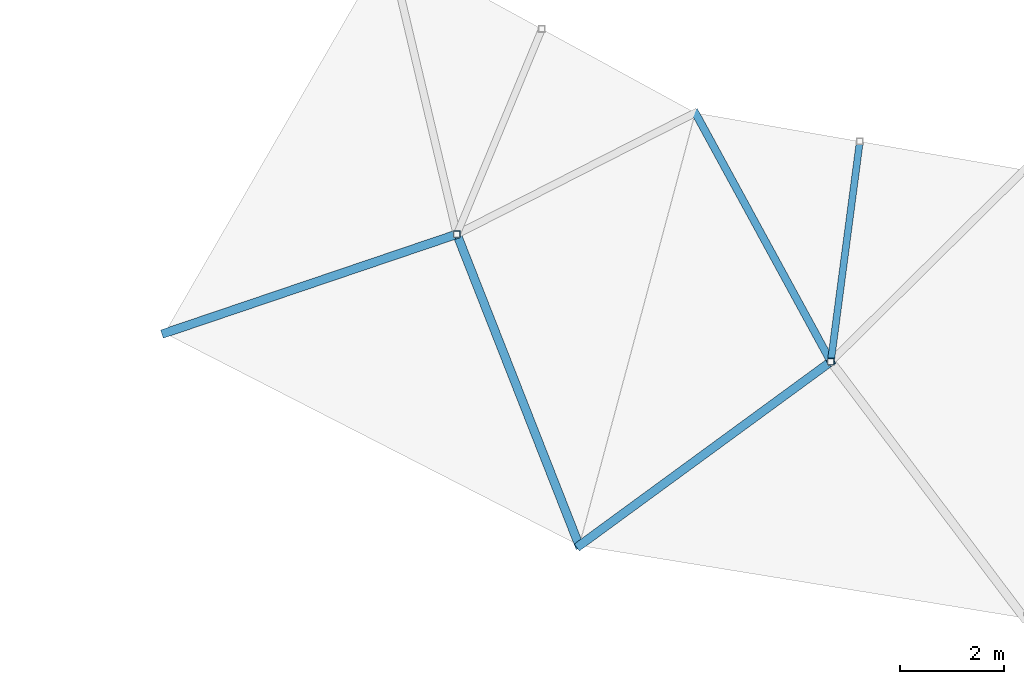
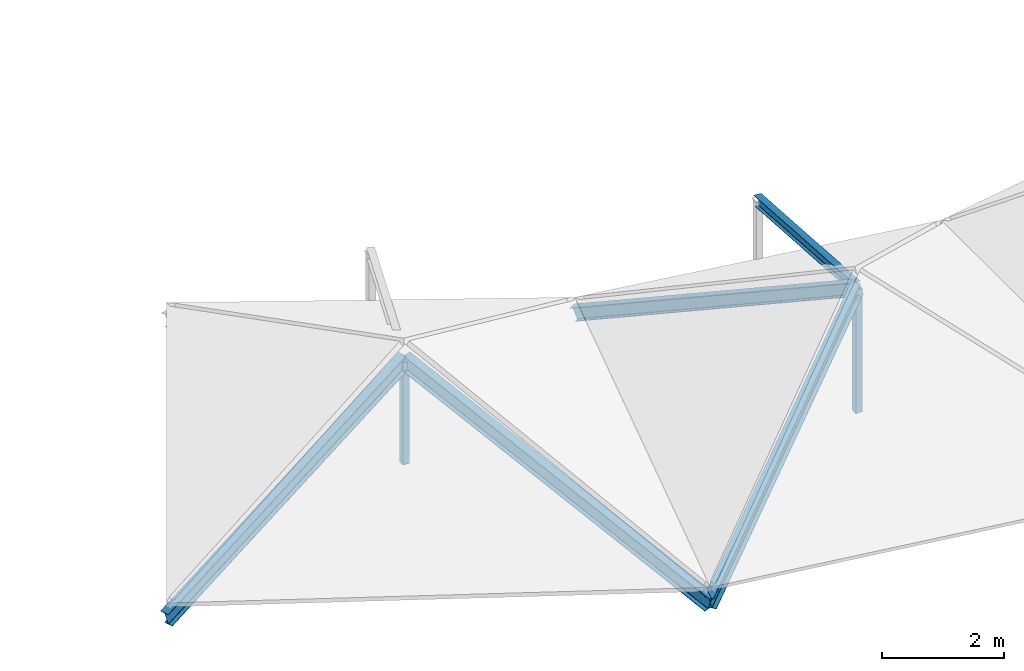
# One storey, part 8 of 66: 7 members.
"""IFC4 building model written with IfcOpenShell, lengths in metres."""

from ifc_helpers import new_model, si_unit, direction, frame, origin, origin_2d, place, context, subcontext, project, spatial, hollow_rectangle, i_section, extrude, material, material_profile, profile_set, type_object, element, save


model = new_model("IFC4")

# Units and contexts
model_context = context("Model", 3, precision=1e-05, world=origin(), true_north=direction((0.0, 1.0)))
body_context = subcontext(model_context, "Body", "Model", "MODEL_VIEW")
ifc_project = project(units=[si_unit("LENGTHUNIT", "METRE"), si_unit("AREAUNIT", "SQUARE_METRE"), si_unit("VOLUMEUNIT", "CUBIC_METRE"), si_unit("PLANEANGLEUNIT", "RADIAN"), si_unit("MASSUNIT", "GRAM", prefix="KILO")], contexts=[model_context])

# Site, building, storey
site_placement = place(None, origin())
site = spatial("IfcSite", under=ifc_project, at=site_placement, CompositionType="ELEMENT")
building_placement = place(site_placement, origin())
building = spatial("IfcBuilding", under=site, at=building_placement, Name="Karori Crest Natural Sciences Institute", CompositionType="ELEMENT")
storey_placement = place(building_placement, frame((0.0, 0.0, 30.10009765625)))
storey = spatial("IfcBuildingStorey", under=building, at=storey_placement, Name="L07", CompositionType="ELEMENT", Elevation=30.10009765625)

# Members
ifc_material_1 = material(Name="Structural steel AS/NZS 3679.1 Grade 350", Category="steel")
ifc_material_profile_1 = material_profile(ifc_material_1, i_section(OverallWidth=0.166015625, OverallDepth=0.306884765625, WebThickness=0.006591796875, FlangeThickness=0.01171875, FilletRadius=0.010986328125, at=origin_2d()), Name="310UB46.2")
ifc_profile_set_1 = profile_set([ifc_material_profile_1], Name="Structural steel AS/NZS 3679.1 Grade 350")
member_type_1 = type_object("IfcMemberType", Name="MT-06", PredefinedType="RAFTER", material=ifc_profile_set_1)
member_1_placement = place(storey_placement, frame((49.89990234375, 14.566162109375, -0.260009765625), z_axis=(0.894274963233, 0.30291652912, 0.329414429741), x_axis=(-0.320823133108, 0.947139122443, 0.0)))
element("IfcMember", 1, at=member_1_placement, inside=storey, type_object=member_type_1, Name="Member M-0143", PredefinedType="RAFTER", context=body_context, shape_type="SweptSolid", body=[
    extrude(i_section(OverallWidth=0.166015625, OverallDepth=0.306884765625, WebThickness=0.006591796875, FlangeThickness=0.01171875, FilletRadius=0.010986328125, at=origin_2d()), origin(), (0.0, 0.0, 1.0), 6.2744140625),
])
member_2_placement = place(storey_placement, frame((57.85888671875, 10.490234375, -0.260009765625), z_axis=(-0.348060656733, 0.885985741586, 0.306403402299), x_axis=(-0.930753341962, -0.365647667061, 0.0)))
element("IfcMember", 2, at=member_2_placement, inside=storey, type_object=member_type_1, Name="Member M-0144", PredefinedType="RAFTER", context=body_context, shape_type="SweptSolid", body=[
    extrude(i_section(OverallWidth=0.166015625, OverallDepth=0.306884765625, WebThickness=0.006591796875, FlangeThickness=0.01171875, FilletRadius=0.010986328125, at=origin_2d()), origin(), (0.0, 0.0, 1.0), 6.74560546875),
])
member_3_placement = place(storey_placement, frame((57.85888671875, 10.490234375, -0.260009765625), z_axis=(0.745070604232, 0.545123981429, 0.384330117973), x_axis=(-0.590474979754, 0.807055944953, 0.0)))
element("IfcMember", 3, at=member_3_placement, inside=storey, type_object=member_type_1, Name="Member M-0150", PredefinedType="RAFTER", context=body_context, shape_type="SweptSolid", body=[
    extrude(i_section(OverallWidth=0.166015625, OverallDepth=0.306884765625, WebThickness=0.006591796875, FlangeThickness=0.01171875, FilletRadius=0.010986328125, at=origin_2d()), origin(), (0.0, 0.0, 1.0), 6.478759765625),
])
ifc_material_profile_2 = material_profile(ifc_material_1, i_section(OverallWidth=0.14599609375, OverallDepth=0.256103515625, WebThickness=0.00634765625, FlangeThickness=0.010986328125, FilletRadius=0.009033203125, at=origin_2d()), Name="250UB37.3")
ifc_profile_set_2 = profile_set([ifc_material_profile_2], Name="Structural steel AS/NZS 3679.1 Grade 350")
member_type_2 = type_object("IfcMemberType", Name="MT-07", PredefinedType="RAFTER", material=ifc_profile_set_2)
member_4_placement = place(storey_placement, frame((60.084716796875, 18.797119140625, -0.260009765625), z_axis=(0.434951183002, -0.798424231659, 0.416336660294), x_axis=(0.878151106432, 0.478383354928, 0.0)))
element("IfcMember", 4, at=member_4_placement, inside=storey, type_object=member_type_2, Name="Member M-0152", PredefinedType="RAFTER", context=body_context, shape_type="SweptSolid", body=[
    extrude(i_section(OverallWidth=0.14599609375, OverallDepth=0.256103515625, WebThickness=0.00634765625, FlangeThickness=0.010986328125, FilletRadius=0.009033203125, at=origin_2d()), origin(), (0.0, 0.0, 1.0), 5.980712890625),
])
ifc_material_profile_3 = material_profile(ifc_material_1, i_section(OverallWidth=0.133056640625, OverallDepth=0.202880859375, WebThickness=0.005859375, FlangeThickness=0.0078125, FilletRadius=0.009033203125, at=origin_2d()), Name="200UB25.4")
ifc_profile_set_3 = profile_set([ifc_material_profile_3], Name="Structural steel AS/NZS 3679.1 Grade 350")
member_type_3 = type_object("IfcMemberType", Name="MT-09", PredefinedType="PURLIN", material=ifc_profile_set_3)
member_5_placement = place(storey_placement, frame((63.242431640625, 18.24853515625, 1.22998046875), z_axis=(-0.127067569979, -0.965245182746, 0.228375939725), x_axis=(0.991446106692, -0.130516732738, 0.0)))
element("IfcMember", 5, at=member_5_placement, inside=storey, type_object=member_type_3, Name="Member M-0154", PredefinedType="PURLIN", context=body_context, shape_type="SweptSolid", body=[
    extrude(i_section(OverallWidth=0.133056640625, OverallDepth=0.202880859375, WebThickness=0.005859375, FlangeThickness=0.0078125, FilletRadius=0.009033203125, at=origin_2d()), origin(), (0.0, 0.0, 1.0), 4.378662109375),
])
ifc_material_2 = material(Name="Hollow structural steel AS/NZS 1163 Grade C350", Category="steel")
ifc_material_profile_4 = material_profile(ifc_material_2, hollow_rectangle(XDim=0.125, YDim=0.125, WallThickness=0.006103515625, at=origin_2d()), Name="SHS125x125x6")
ifc_profile_set_4 = profile_set([ifc_material_profile_4], Name="Hollow structural steel AS/NZS 1163 Grade C350")
member_type_4 = type_object("IfcMemberType", Name="MT-20", PredefinedType="STRUT", material=ifc_profile_set_4)
member_6_placement = place(storey_placement, frame((55.510986328125, 16.466796875, -0.2451171875), z_axis=(0.0, 0.0, 1.0), x_axis=(1.0, 0.0, 0.0)))
element("IfcMember", 6, at=member_6_placement, inside=storey, type_object=member_type_4, Name="Member M-0141", PredefinedType="STRUT", context=body_context, shape_type="SweptSolid", body=[
    extrude(hollow_rectangle(XDim=0.125, YDim=0.125, WallThickness=0.006103515625, at=origin_2d()), origin(), (0.0, 0.0, 1.0), 2.052001953125),
])
member_7_placement = place(storey_placement, frame((62.68603515625, 14.02197265625, -0.2451171875), z_axis=(0.0, 0.0, 1.0), x_axis=(1.0, 0.0, 0.0)))
element("IfcMember", 7, at=member_7_placement, inside=storey, type_object=member_type_4, Name="Member M-0148", PredefinedType="STRUT", context=body_context, shape_type="SweptSolid", body=[
    extrude(hollow_rectangle(XDim=0.125, YDim=0.125, WallThickness=0.006103515625, at=origin_2d()), origin(), (0.0, 0.0, 1.0), 2.47509765625),
])

save(model, "model.ifc")
